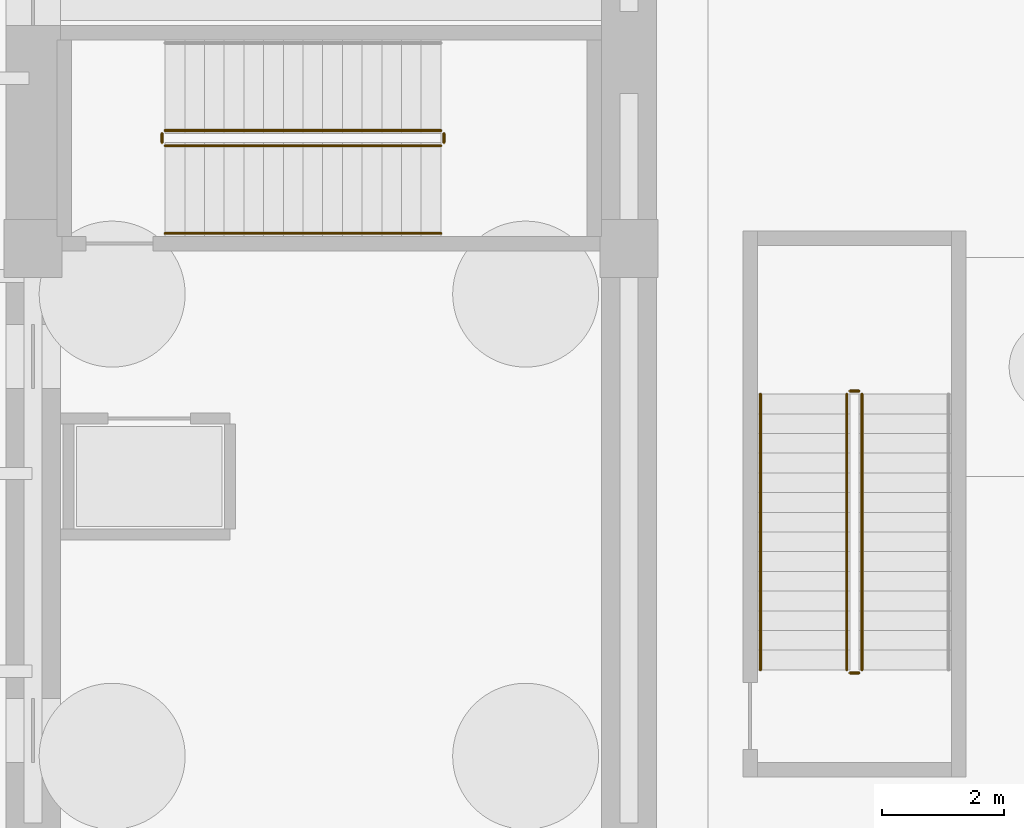
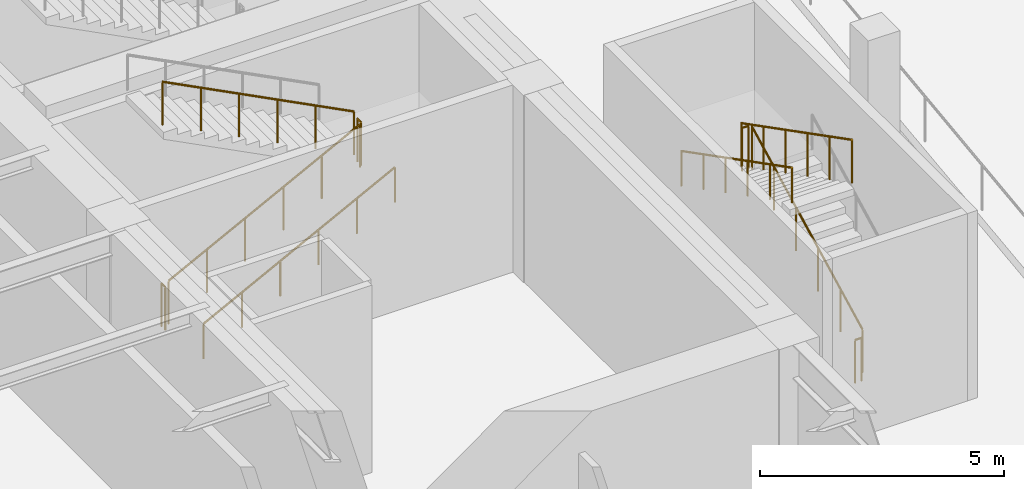
# One storey, part 10 of 14: 10 railings.
"""IFC4 building model written with IfcOpenShell, lengths in metres."""

from ifc_helpers import new_model, si_unit, direction, frame, origin, origin_2d, place, context, subcontext, project, spatial, circle, extrude, material, type_object, element, save


model = new_model("IFC4")

# Units and contexts
model_context = context("Model", 3, precision=1e-05, world=origin(), true_north=direction((0.0, 1.0)))
body_context = subcontext(model_context, "Body", "Model", "MODEL_VIEW")
ifc_project = project(units=[si_unit("LENGTHUNIT", "METRE"), si_unit("AREAUNIT", "SQUARE_METRE"), si_unit("VOLUMEUNIT", "CUBIC_METRE"), si_unit("PLANEANGLEUNIT", "RADIAN"), si_unit("MASSUNIT", "GRAM", prefix="KILO")], contexts=[model_context])

# Site, building, storey
site_placement = place(None, origin())
site = spatial("IfcSite", under=ifc_project, at=site_placement, CompositionType="ELEMENT")
building_placement = place(site_placement, origin())
building = spatial("IfcBuilding", under=site, at=building_placement, Name="Kolvaren Arena Tower", CompositionType="ELEMENT")
storey_placement = place(building_placement, frame((0.0, 0.0, -10.0)))
storey = spatial("IfcBuildingStorey", under=building, at=storey_placement, Name="B02", CompositionType="ELEMENT", Elevation=-10.0)

# Railings
ifc_material_1 = material(Name="Painted galvanized steel", Category="steel")
railing_type_1 = type_object("IfcRailingType", Name="GUARD-ST-110", PredefinedType="GUARDRAIL", material=ifc_material_1)
railing_1_placement = place(storey_placement, frame((52.719970703125, 31.639892578125, 0.166748046875)))
element("IfcRailing", 1, at=railing_1_placement, inside=storey, type_object=railing_type_1, Name="B02 ST-E1 stair guard 1", PredefinedType="GUARDRAIL", context=body_context, shape_type="SweptSolid", body=[
    extrude(circle(Radius=0.02392578125, at=origin_2d()), frame((0.0, 0.0, 1.076171875), z_axis=(0.889257211316, 0.0, 0.457407490234), x_axis=(0.0, 1.0, 0.0)), (0.0, 0.0, 1.0), 5.10107421875),
    extrude(circle(Radius=0.02099609375, at=origin_2d()), origin(), (0.0, 0.0, 1.0), 1.052001953125),
    extrude(circle(Radius=0.02099609375, at=origin_2d()), frame((0.9072265625, 0.0, 0.466552734375)), (0.0, 0.0, 1.0), 1.052001953125),
    extrude(circle(Radius=0.02099609375, at=origin_2d()), frame((1.814453125, 0.0, 0.933349609375)), (0.0, 0.0, 1.0), 1.052001953125),
    extrude(circle(Radius=0.02099609375, at=origin_2d()), frame((2.7216796875, 0.0, 1.39990234375)), (0.0, 0.0, 1.0), 1.052001953125),
    extrude(circle(Radius=0.02099609375, at=origin_2d()), frame((3.62890625, 0.0, 1.86669921875)), (0.0, 0.0, 1.0), 1.052001953125),
    extrude(circle(Radius=0.02099609375, at=origin_2d()), frame((4.5361328125, 0.0, 2.333251953125)), (0.0, 0.0, 1.0), 1.052001953125),
])
railing_2_placement = place(storey_placement, frame((57.305908203125, 31.68994140625, 2.5)))
element("IfcRailing", 2, at=railing_2_placement, inside=storey, type_object=railing_type_1, Name="B02 ST-E1 stair guard 2", PredefinedType="GUARDRAIL", context=body_context, shape_type="SweptSolid", body=[
    extrude(circle(Radius=0.02392578125, at=origin_2d()), frame((0.0, 0.0, 1.076171875), z_axis=(0.0, 1.0, 0.0), x_axis=(-1.0, 0.0, 0.0)), (0.0, 0.0, 1.0), 0.150146484375),
    extrude(circle(Radius=0.02099609375, at=origin_2d()), origin(), (0.0, 0.0, 1.0), 1.052001953125),
    extrude(circle(Radius=0.02099609375, at=origin_2d()), frame((0.0, 0.150146484375, 0.0)), (0.0, 0.0, 1.0), 1.052001953125),
])
railing_3_placement = place(storey_placement, frame((57.256103515625, 31.889892578125, 2.666748046875)))
element("IfcRailing", 3, at=railing_3_placement, inside=storey, type_object=railing_type_1, Name="B02 ST-E1 stair guard 3", PredefinedType="GUARDRAIL", context=body_context, shape_type="SweptSolid", body=[
    extrude(circle(Radius=0.02392578125, at=origin_2d()), frame((0.0, 0.0, 1.076171875), z_axis=(-0.889257211316, 0.0, 0.457407490234), x_axis=(0.0, -1.0, 0.0)), (0.0, 0.0, 1.0), 5.10107421875),
    extrude(circle(Radius=0.02099609375, at=origin_2d()), origin(), (0.0, 0.0, 1.0), 1.052001953125),
    extrude(circle(Radius=0.02099609375, at=origin_2d()), frame((-0.9072265625, 0.0, 0.466552734375)), (0.0, 0.0, 1.0), 1.052001953125),
    extrude(circle(Radius=0.02099609375, at=origin_2d()), frame((-1.814453125, 0.0, 0.933349609375)), (0.0, 0.0, 1.0), 1.052001953125),
    extrude(circle(Radius=0.02099609375, at=origin_2d()), frame((-2.7216796875, 0.0, 1.39990234375)), (0.0, 0.0, 1.0), 1.052001953125),
    extrude(circle(Radius=0.02099609375, at=origin_2d()), frame((-3.62890625, 0.0, 1.86669921875)), (0.0, 0.0, 1.0), 1.052001953125),
    extrude(circle(Radius=0.02099609375, at=origin_2d()), frame((-4.5361328125, 0.0, 2.333251953125)), (0.0, 0.0, 1.0), 1.052001953125),
])
railing_4_placement = place(storey_placement, frame((52.669921875, 31.68994140625, 0.0)))
element("IfcRailing", 4, at=railing_4_placement, inside=storey, type_object=railing_type_1, Name="B02 ST-E1 stair guard 4", PredefinedType="GUARDRAIL", context=body_context, shape_type="SweptSolid", body=[
    extrude(circle(Radius=0.02392578125, at=origin_2d()), frame((0.0, 0.0, 1.076171875), z_axis=(0.0, 1.0, 0.0), x_axis=(-1.0, 0.0, 0.0)), (0.0, 0.0, 1.0), 0.150146484375),
    extrude(circle(Radius=0.02099609375, at=origin_2d()), origin(), (0.0, 0.0, 1.0), 1.052001953125),
    extrude(circle(Radius=0.02099609375, at=origin_2d()), frame((0.0, 0.150146484375, 0.0)), (0.0, 0.0, 1.0), 1.052001953125),
])
railing_5_placement = place(storey_placement, frame((64.179931640625, 23.02001953125, 0.166748046875)))
element("IfcRailing", 5, at=railing_5_placement, inside=storey, type_object=railing_type_1, Name="B02 ST-B2 stair guard 1", PredefinedType="GUARDRAIL", context=body_context, shape_type="SweptSolid", body=[
    extrude(circle(Radius=0.02392578125, at=origin_2d()), frame((0.0, 0.0, 1.076171875), z_axis=(0.0, 0.889247197123, 0.45742695855), x_axis=(-1.0, 0.0, 0.0)), (0.0, 0.0, 1.0), 5.100830078125),
    extrude(circle(Radius=0.02099609375, at=origin_2d()), origin(), (0.0, 0.0, 1.0), 1.052001953125),
    extrude(circle(Radius=0.02099609375, at=origin_2d()), frame((0.0, 0.9072265625, 0.466552734375)), (0.0, 0.0, 1.0), 1.052001953125),
    extrude(circle(Radius=0.02099609375, at=origin_2d()), frame((0.0, 1.814453125, 0.933349609375)), (0.0, 0.0, 1.0), 1.052001953125),
    extrude(circle(Radius=0.02099609375, at=origin_2d()), frame((0.0, 2.721435546875, 1.39990234375)), (0.0, 0.0, 1.0), 1.052001953125),
    extrude(circle(Radius=0.02099609375, at=origin_2d()), frame((0.0, 3.628662109375, 1.86669921875)), (0.0, 0.0, 1.0), 1.052001953125),
    extrude(circle(Radius=0.02099609375, at=origin_2d()), frame((0.0, 4.535888671875, 2.333251953125)), (0.0, 0.0, 1.0), 1.052001953125),
])
railing_6_placement = place(storey_placement, frame((64.1298828125, 27.60595703125, 2.5)))
element("IfcRailing", 6, at=railing_6_placement, inside=storey, type_object=railing_type_1, Name="B02 ST-B2 stair guard 2", PredefinedType="GUARDRAIL", context=body_context, shape_type="SweptSolid", body=[
    extrude(circle(Radius=0.02392578125, at=origin_2d()), frame((0.0, 0.0, 1.076171875), z_axis=(-1.0, 0.0, 0.0), x_axis=(0.0, -1.0, 0.0)), (0.0, 0.0, 1.0), 0.14990234375),
    extrude(circle(Radius=0.02099609375, at=origin_2d()), origin(), (0.0, 0.0, 1.0), 1.052001953125),
    extrude(circle(Radius=0.02099609375, at=origin_2d()), frame((-0.14990234375, 0.0, 0.0)), (0.0, 0.0, 1.0), 1.052001953125),
])
railing_7_placement = place(storey_placement, frame((63.929931640625, 27.555908203125, 2.666748046875)))
element("IfcRailing", 7, at=railing_7_placement, inside=storey, type_object=railing_type_1, Name="B02 ST-B2 stair guard 3", PredefinedType="GUARDRAIL", context=body_context, shape_type="SweptSolid", body=[
    extrude(circle(Radius=0.02392578125, at=origin_2d()), frame((0.0, 0.0, 1.076171875), z_axis=(0.0, -0.889247197123, 0.45742695855), x_axis=(1.0, 0.0, 0.0)), (0.0, 0.0, 1.0), 5.100830078125),
    extrude(circle(Radius=0.02099609375, at=origin_2d()), origin(), (0.0, 0.0, 1.0), 1.052001953125),
    extrude(circle(Radius=0.02099609375, at=origin_2d()), frame((0.0, -0.9072265625, 0.466552734375)), (0.0, 0.0, 1.0), 1.052001953125),
    extrude(circle(Radius=0.02099609375, at=origin_2d()), frame((0.0, -1.814453125, 0.933349609375)), (0.0, 0.0, 1.0), 1.052001953125),
    extrude(circle(Radius=0.02099609375, at=origin_2d()), frame((0.0, -2.721435546875, 1.39990234375)), (0.0, 0.0, 1.0), 1.052001953125),
    extrude(circle(Radius=0.02099609375, at=origin_2d()), frame((0.0, -3.628662109375, 1.86669921875)), (0.0, 0.0, 1.0), 1.052001953125),
    extrude(circle(Radius=0.02099609375, at=origin_2d()), frame((0.0, -4.535888671875, 2.333251953125)), (0.0, 0.0, 1.0), 1.052001953125),
])
railing_8_placement = place(storey_placement, frame((64.1298828125, 22.969970703125, 0.0)))
element("IfcRailing", 8, at=railing_8_placement, inside=storey, type_object=railing_type_1, Name="B02 ST-B2 stair guard 4", PredefinedType="GUARDRAIL", context=body_context, shape_type="SweptSolid", body=[
    extrude(circle(Radius=0.02392578125, at=origin_2d()), frame((0.0, 0.0, 1.076171875), z_axis=(-1.0, 0.0, 0.0), x_axis=(0.0, -1.0, 0.0)), (0.0, 0.0, 1.0), 0.14990234375),
    extrude(circle(Radius=0.02099609375, at=origin_2d()), origin(), (0.0, 0.0, 1.0), 1.052001953125),
    extrude(circle(Radius=0.02099609375, at=origin_2d()), frame((-0.14990234375, 0.0, 0.0)), (0.0, 0.0, 1.0), 1.052001953125),
])
ifc_material_2 = material(Name="Brushed stainless steel handrail", Category="steel")
railing_type_2 = type_object("IfcRailingType", Name="HRAIL-900", PredefinedType="HANDRAIL", material=ifc_material_2)
railing_9_placement = place(storey_placement, frame((52.719970703125, 30.199951171875, 0.166748046875)))
element("IfcRailing", 9, at=railing_9_placement, inside=storey, type_object=railing_type_2, Name="B02 ST-E1 stair handrail 1", PredefinedType="HANDRAIL", context=body_context, shape_type="SweptSolid", body=[
    extrude(circle(Radius=0.02392578125, at=origin_2d()), frame((0.0, 0.0, 0.8759765625), z_axis=(0.889257211316, 0.0, 0.457407490234), x_axis=(0.0, 1.0, 0.0)), (0.0, 0.0, 1.0), 5.10107421875),
    extrude(circle(Radius=0.02099609375, at=origin_2d()), origin(), (0.0, 0.0, 1.0), 0.851806640625),
    extrude(circle(Radius=0.02099609375, at=origin_2d()), frame((0.9072265625, 0.0, 0.466552734375)), (0.0, 0.0, 1.0), 0.851806640625),
    extrude(circle(Radius=0.02099609375, at=origin_2d()), frame((1.814453125, 0.0, 0.933349609375)), (0.0, 0.0, 1.0), 0.851806640625),
    extrude(circle(Radius=0.02099609375, at=origin_2d()), frame((2.7216796875, 0.0, 1.39990234375)), (0.0, 0.0, 1.0), 0.851806640625),
    extrude(circle(Radius=0.02099609375, at=origin_2d()), frame((3.62890625, 0.0, 1.86669921875)), (0.0, 0.0, 1.0), 0.851806640625),
    extrude(circle(Radius=0.02099609375, at=origin_2d()), frame((4.5361328125, 0.0, 2.333251953125)), (0.0, 0.0, 1.0), 0.851806640625),
])
railing_10_placement = place(storey_placement, frame((62.510009765625, 27.555908203125, 2.666748046875)))
element("IfcRailing", 10, at=railing_10_placement, inside=storey, type_object=railing_type_2, Name="B02 ST-B2 stair handrail 2", PredefinedType="HANDRAIL", context=body_context, shape_type="SweptSolid", body=[
    extrude(circle(Radius=0.02392578125, at=origin_2d()), frame((0.0, 0.0, 0.8759765625), z_axis=(0.0, -0.889247197123, 0.45742695855), x_axis=(1.0, 0.0, 0.0)), (0.0, 0.0, 1.0), 5.100830078125),
    extrude(circle(Radius=0.02099609375, at=origin_2d()), origin(), (0.0, 0.0, 1.0), 0.851806640625),
    extrude(circle(Radius=0.02099609375, at=origin_2d()), frame((0.0, -0.9072265625, 0.466552734375)), (0.0, 0.0, 1.0), 0.851806640625),
    extrude(circle(Radius=0.02099609375, at=origin_2d()), frame((0.0, -1.814453125, 0.933349609375)), (0.0, 0.0, 1.0), 0.851806640625),
    extrude(circle(Radius=0.02099609375, at=origin_2d()), frame((0.0, -2.721435546875, 1.39990234375)), (0.0, 0.0, 1.0), 0.851806640625),
    extrude(circle(Radius=0.02099609375, at=origin_2d()), frame((0.0, -3.628662109375, 1.86669921875)), (0.0, 0.0, 1.0), 0.851806640625),
    extrude(circle(Radius=0.02099609375, at=origin_2d()), frame((0.0, -4.535888671875, 2.333251953125)), (0.0, 0.0, 1.0), 0.851806640625),
])

save(model, "model.ifc")
